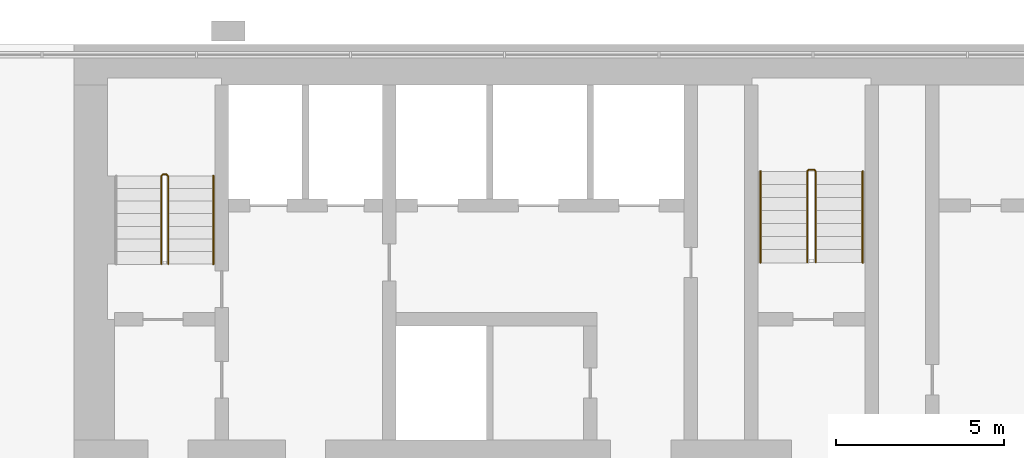
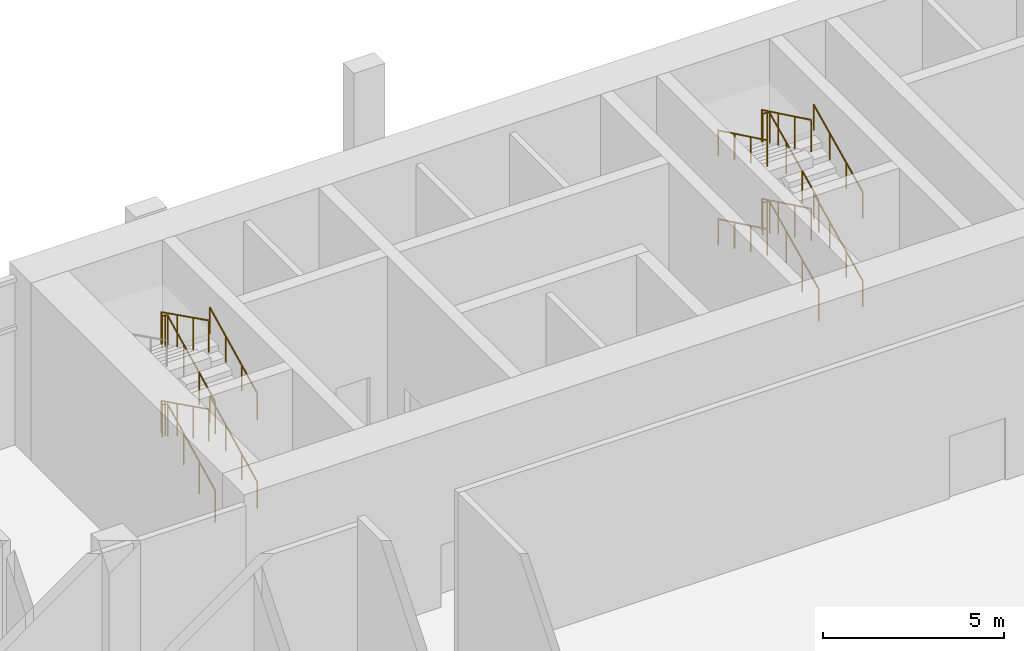
# One storey, part 19 of 21: 10 railings.
"""IFC4 building model written with IfcOpenShell, lengths in metres."""

from ifc_helpers import new_model, si_unit, direction, frame, origin, origin_2d, place, context, subcontext, project, spatial, circle, extrude, material, type_object, element, save


model = new_model("IFC4")

# Units and contexts
model_context = context("Model", 3, precision=1e-05, world=origin(), true_north=direction((0.0, 1.0)))
body_context = subcontext(model_context, "Body", "Model", "MODEL_VIEW")
ifc_project = project(units=[si_unit("LENGTHUNIT", "METRE"), si_unit("AREAUNIT", "SQUARE_METRE"), si_unit("VOLUMEUNIT", "CUBIC_METRE"), si_unit("PLANEANGLEUNIT", "RADIAN"), si_unit("MASSUNIT", "GRAM", prefix="KILO")], contexts=[model_context])

# Site, building, storey
site_placement = place(None, origin())
site = spatial("IfcSite", under=ifc_project, at=site_placement, CompositionType="ELEMENT")
building_placement = place(site_placement, origin())
building = spatial("IfcBuilding", under=site, at=building_placement, Name="Bicima Exchange Tower", CompositionType="ELEMENT")
storey_placement = place(building_placement, frame((0.0, 0.0, 8.0)))
storey = spatial("IfcBuildingStorey", under=building, at=storey_placement, Name="L01", CompositionType="ELEMENT", Elevation=8.0)

# Railings
ifc_material = material(Name="Stainless steel", Category="steel")
railing_type_1 = type_object("IfcRailingType", Name="Stair guard 1100", PredefinedType="GUARDRAIL", material=ifc_material)
railing_1_placement = place(storey_placement, frame((-19.199951171875, -6.550048828125, 0.1875)))
element("IfcRailing", 1, at=railing_1_placement, inside=storey, type_object=railing_type_1, Name="L01 ST-W stair guard 1", PredefinedType="GUARDRAIL", context=body_context, shape_type="SweptSolid", body=[
    extrude(circle(Radius=0.02392578125, at=origin_2d()), frame((0.0, 0.0, 1.076171875), z_axis=(0.0, 0.894775759346, 0.446515778543), x_axis=(-1.0, 0.0, 0.0)), (0.0, 0.0, 1.0), 2.939453125),
    extrude(circle(Radius=0.02392578125, at=origin_2d()), frame((0.0, 2.630126953125, 2.388671875), z_axis=(-0.708833529934, 0.705375805398, 0.0), x_axis=(-0.705375805398, -0.708833529934, 0.0)), (0.0, 0.0, 1.0), 0.070556640625),
    extrude(circle(Radius=0.02392578125, at=origin_2d()), frame((-0.050048828125, 2.679931640625, 2.388671875), z_axis=(-1.0, 0.0, 0.0), x_axis=(0.0, -1.0, 0.0)), (0.0, 0.0, 1.0), 0.10009765625),
    extrude(circle(Radius=0.02392578125, at=origin_2d()), frame((-0.150146484375, 2.679931640625, 2.388671875), z_axis=(-0.248659220195, -0.248659220195, 0.936128828968), x_axis=(0.707106781187, -0.707106781187, 0.0)), (0.0, 0.0, 1.0), 0.2001953125),
    extrude(circle(Radius=0.02392578125, at=origin_2d()), frame((-0.199951171875, 2.630126953125, 2.576171875), z_axis=(0.0, -0.894775759346, 0.446515778543), x_axis=(1.0, 0.0, 0.0)), (0.0, 0.0, 1.0), 2.939453125),
    extrude(circle(Radius=0.02099609375, at=origin_2d()), origin(), (0.0, 0.0, 1.0), 1.052001953125),
    extrude(circle(Radius=0.02099609375, at=origin_2d()), frame((0.0, 0.876708984375, 0.4375)), (0.0, 0.0, 1.0), 1.052001953125),
    extrude(circle(Radius=0.02099609375, at=origin_2d()), frame((0.0, 1.75341796875, 0.875)), (0.0, 0.0, 1.0), 1.052001953125),
    extrude(circle(Radius=0.02099609375, at=origin_2d()), frame((0.0, 2.630126953125, 1.3125)), (0.0, 0.0, 1.0), 1.052001953125),
    extrude(circle(Radius=0.02099609375, at=origin_2d()), frame((-0.050048828125, 2.679931640625, 1.3125)), (0.0, 0.0, 1.0), 1.052001953125),
    extrude(circle(Radius=0.02099609375, at=origin_2d()), frame((-0.150146484375, 2.679931640625, 1.3125)), (0.0, 0.0, 1.0), 1.052001953125),
    extrude(circle(Radius=0.02099609375, at=origin_2d()), frame((-0.199951171875, 2.630126953125, 1.5)), (0.0, 0.0, 1.0), 1.052001953125),
    extrude(circle(Radius=0.02099609375, at=origin_2d()), frame((-0.199951171875, 1.75341796875, 1.9375)), (0.0, 0.0, 1.0), 1.052001953125),
    extrude(circle(Radius=0.02099609375, at=origin_2d()), frame((-0.199951171875, 0.876708984375, 2.375)), (0.0, 0.0, 1.0), 1.052001953125),
    extrude(circle(Radius=0.02099609375, at=origin_2d()), frame((-0.199951171875, 0.0, 2.8125)), (0.0, 0.0, 1.0), 1.052001953125),
])
railing_2_placement = place(storey_placement, frame((-19.199951171875, -6.550048828125, 3.1875)))
element("IfcRailing", 2, at=railing_2_placement, inside=storey, type_object=railing_type_1, Name="L01 ST-W stair guard 2", PredefinedType="GUARDRAIL", context=body_context, shape_type="SweptSolid", body=[
    extrude(circle(Radius=0.02392578125, at=origin_2d()), frame((0.0, 0.0, 1.076171875), z_axis=(0.0, 0.894775759346, 0.446515778543), x_axis=(-1.0, 0.0, 0.0)), (0.0, 0.0, 1.0), 2.939453125),
    extrude(circle(Radius=0.02392578125, at=origin_2d()), frame((0.0, 2.630126953125, 2.388671875), z_axis=(-0.708833529934, 0.705375805398, 0.0), x_axis=(-0.705375805398, -0.708833529934, 0.0)), (0.0, 0.0, 1.0), 0.070556640625),
    extrude(circle(Radius=0.02392578125, at=origin_2d()), frame((-0.050048828125, 2.679931640625, 2.388671875), z_axis=(-1.0, 0.0, 0.0), x_axis=(0.0, -1.0, 0.0)), (0.0, 0.0, 1.0), 0.10009765625),
    extrude(circle(Radius=0.02392578125, at=origin_2d()), frame((-0.150146484375, 2.679931640625, 2.388671875), z_axis=(-0.248659220195, -0.248659220195, 0.936128828968), x_axis=(0.707106781187, -0.707106781187, 0.0)), (0.0, 0.0, 1.0), 0.2001953125),
    extrude(circle(Radius=0.02392578125, at=origin_2d()), frame((-0.199951171875, 2.630126953125, 2.576171875), z_axis=(0.0, -0.894775759346, 0.446515778543), x_axis=(1.0, 0.0, 0.0)), (0.0, 0.0, 1.0), 2.939453125),
    extrude(circle(Radius=0.02099609375, at=origin_2d()), origin(), (0.0, 0.0, 1.0), 1.052001953125),
    extrude(circle(Radius=0.02099609375, at=origin_2d()), frame((0.0, 0.876708984375, 0.4375)), (0.0, 0.0, 1.0), 1.052001953125),
    extrude(circle(Radius=0.02099609375, at=origin_2d()), frame((0.0, 1.75341796875, 0.875)), (0.0, 0.0, 1.0), 1.052001953125),
    extrude(circle(Radius=0.02099609375, at=origin_2d()), frame((0.0, 2.630126953125, 1.3125)), (0.0, 0.0, 1.0), 1.052001953125),
    extrude(circle(Radius=0.02099609375, at=origin_2d()), frame((-0.050048828125, 2.679931640625, 1.3125)), (0.0, 0.0, 1.0), 1.052001953125),
    extrude(circle(Radius=0.02099609375, at=origin_2d()), frame((-0.150146484375, 2.679931640625, 1.3125)), (0.0, 0.0, 1.0), 1.052001953125),
    extrude(circle(Radius=0.02099609375, at=origin_2d()), frame((-0.199951171875, 2.630126953125, 1.5)), (0.0, 0.0, 1.0), 1.052001953125),
    extrude(circle(Radius=0.02099609375, at=origin_2d()), frame((-0.199951171875, 1.75341796875, 1.9375)), (0.0, 0.0, 1.0), 1.052001953125),
    extrude(circle(Radius=0.02099609375, at=origin_2d()), frame((-0.199951171875, 0.876708984375, 2.375)), (0.0, 0.0, 1.0), 1.052001953125),
    extrude(circle(Radius=0.02099609375, at=origin_2d()), frame((-0.199951171875, 0.0, 2.8125)), (0.0, 0.0, 1.0), 1.052001953125),
])
railing_3_placement = place(storey_placement, frame((0.125, -6.5, 0.1875)))
element("IfcRailing", 3, at=railing_3_placement, inside=storey, type_object=railing_type_1, Name="L01 ST-C stair guard 1", PredefinedType="GUARDRAIL", context=body_context, shape_type="SweptSolid", body=[
    extrude(circle(Radius=0.02392578125, at=origin_2d()), frame((0.0, 0.0, 1.076171875), z_axis=(0.0, 0.900628018105, 0.434590810998), x_axis=(-1.0, 0.0, 0.0)), (0.0, 0.0, 1.0), 3.02001953125),
    extrude(circle(Radius=0.02392578125, at=origin_2d()), frame((0.0, 2.719970703125, 2.388671875), z_axis=(-0.707106781187, 0.707106781187, 0.0), x_axis=(-0.707106781187, -0.707106781187, 0.0)), (0.0, 0.0, 1.0), 0.07080078125),
    extrude(circle(Radius=0.02392578125, at=origin_2d()), frame((-0.050048828125, 2.77001953125, 2.388671875), z_axis=(-1.0, 0.0, 0.0), x_axis=(0.0, -1.0, 0.0)), (0.0, 0.0, 1.0), 0.14990234375),
    extrude(circle(Radius=0.02392578125, at=origin_2d()), frame((-0.199951171875, 2.77001953125, 2.388671875), z_axis=(-0.249726431254, -0.249726431254, 0.935560483917), x_axis=(0.707106781187, -0.707106781187, 0.0)), (0.0, 0.0, 1.0), 0.200439453125),
    extrude(circle(Radius=0.02392578125, at=origin_2d()), frame((-0.25, 2.719970703125, 2.576171875), z_axis=(0.0, -0.900628018105, 0.434590810998), x_axis=(1.0, 0.0, 0.0)), (0.0, 0.0, 1.0), 3.02001953125),
    extrude(circle(Radius=0.02099609375, at=origin_2d()), origin(), (0.0, 0.0, 1.0), 1.052001953125),
    extrude(circle(Radius=0.02099609375, at=origin_2d()), frame((0.0, 0.90673828125, 0.4375)), (0.0, 0.0, 1.0), 1.052001953125),
    extrude(circle(Radius=0.02099609375, at=origin_2d()), frame((0.0, 1.813232421875, 0.875)), (0.0, 0.0, 1.0), 1.052001953125),
    extrude(circle(Radius=0.02099609375, at=origin_2d()), frame((0.0, 2.719970703125, 1.3125)), (0.0, 0.0, 1.0), 1.052001953125),
    extrude(circle(Radius=0.02099609375, at=origin_2d()), frame((-0.050048828125, 2.77001953125, 1.3125)), (0.0, 0.0, 1.0), 1.052001953125),
    extrude(circle(Radius=0.02099609375, at=origin_2d()), frame((-0.199951171875, 2.77001953125, 1.3125)), (0.0, 0.0, 1.0), 1.052001953125),
    extrude(circle(Radius=0.02099609375, at=origin_2d()), frame((-0.25, 2.719970703125, 1.5)), (0.0, 0.0, 1.0), 1.052001953125),
    extrude(circle(Radius=0.02099609375, at=origin_2d()), frame((-0.25, 1.813232421875, 1.9375)), (0.0, 0.0, 1.0), 1.052001953125),
    extrude(circle(Radius=0.02099609375, at=origin_2d()), frame((-0.25, 0.90673828125, 2.375)), (0.0, 0.0, 1.0), 1.052001953125),
    extrude(circle(Radius=0.02099609375, at=origin_2d()), frame((-0.25, 0.0, 2.8125)), (0.0, 0.0, 1.0), 1.052001953125),
])
railing_4_placement = place(storey_placement, frame((0.125, -6.5, 3.1875)))
element("IfcRailing", 4, at=railing_4_placement, inside=storey, type_object=railing_type_1, Name="L01 ST-C stair guard 2", PredefinedType="GUARDRAIL", context=body_context, shape_type="SweptSolid", body=[
    extrude(circle(Radius=0.02392578125, at=origin_2d()), frame((0.0, 0.0, 1.076171875), z_axis=(0.0, 0.900628018105, 0.434590810998), x_axis=(-1.0, 0.0, 0.0)), (0.0, 0.0, 1.0), 3.02001953125),
    extrude(circle(Radius=0.02392578125, at=origin_2d()), frame((0.0, 2.719970703125, 2.388671875), z_axis=(-0.707106781187, 0.707106781187, 0.0), x_axis=(-0.707106781187, -0.707106781187, 0.0)), (0.0, 0.0, 1.0), 0.07080078125),
    extrude(circle(Radius=0.02392578125, at=origin_2d()), frame((-0.050048828125, 2.77001953125, 2.388671875), z_axis=(-1.0, 0.0, 0.0), x_axis=(0.0, -1.0, 0.0)), (0.0, 0.0, 1.0), 0.14990234375),
    extrude(circle(Radius=0.02392578125, at=origin_2d()), frame((-0.199951171875, 2.77001953125, 2.388671875), z_axis=(-0.249726431254, -0.249726431254, 0.935560483917), x_axis=(0.707106781187, -0.707106781187, 0.0)), (0.0, 0.0, 1.0), 0.200439453125),
    extrude(circle(Radius=0.02392578125, at=origin_2d()), frame((-0.25, 2.719970703125, 2.576171875), z_axis=(0.0, -0.900628018105, 0.434590810998), x_axis=(1.0, 0.0, 0.0)), (0.0, 0.0, 1.0), 3.02001953125),
    extrude(circle(Radius=0.02099609375, at=origin_2d()), origin(), (0.0, 0.0, 1.0), 1.052001953125),
    extrude(circle(Radius=0.02099609375, at=origin_2d()), frame((0.0, 0.90673828125, 0.4375)), (0.0, 0.0, 1.0), 1.052001953125),
    extrude(circle(Radius=0.02099609375, at=origin_2d()), frame((0.0, 1.813232421875, 0.875)), (0.0, 0.0, 1.0), 1.052001953125),
    extrude(circle(Radius=0.02099609375, at=origin_2d()), frame((0.0, 2.719970703125, 1.3125)), (0.0, 0.0, 1.0), 1.052001953125),
    extrude(circle(Radius=0.02099609375, at=origin_2d()), frame((-0.050048828125, 2.77001953125, 1.3125)), (0.0, 0.0, 1.0), 1.052001953125),
    extrude(circle(Radius=0.02099609375, at=origin_2d()), frame((-0.199951171875, 2.77001953125, 1.3125)), (0.0, 0.0, 1.0), 1.052001953125),
    extrude(circle(Radius=0.02099609375, at=origin_2d()), frame((-0.25, 2.719970703125, 1.5)), (0.0, 0.0, 1.0), 1.052001953125),
    extrude(circle(Radius=0.02099609375, at=origin_2d()), frame((-0.25, 1.813232421875, 1.9375)), (0.0, 0.0, 1.0), 1.052001953125),
    extrude(circle(Radius=0.02099609375, at=origin_2d()), frame((-0.25, 0.90673828125, 2.375)), (0.0, 0.0, 1.0), 1.052001953125),
    extrude(circle(Radius=0.02099609375, at=origin_2d()), frame((-0.25, 0.0, 2.8125)), (0.0, 0.0, 1.0), 1.052001953125),
])
railing_type_2 = type_object("IfcRailingType", Name="Stair handrail 900", PredefinedType="HANDRAIL", material=ifc_material)
for number, where, name in (
    (5, (-17.85009765625, -6.550048828125, 0.1875), "L01 ST-W stair handrail 1"),
    (6, (-17.85009765625, -6.550048828125, 3.1875), "L01 ST-W stair handrail 3"),
):
    element("IfcRailing", number, at=place(storey_placement, frame(where)), inside=storey, type_object=railing_type_2, Name=name, PredefinedType="HANDRAIL", context=body_context, shape_type="SweptSolid", body=[
        extrude(circle(Radius=0.02392578125, at=origin_2d()), frame((0.0, 0.0, 0.8759765625), z_axis=(0.0, 0.894775759346, 0.446515778543), x_axis=(-1.0, 0.0, 0.0)), (0.0, 0.0, 1.0), 2.939453125),
        extrude(circle(Radius=0.02099609375, at=origin_2d()), origin(), (0.0, 0.0, 1.0), 0.851806640625),
        extrude(circle(Radius=0.02099609375, at=origin_2d()), frame((0.0, 0.876708984375, 0.4375)), (0.0, 0.0, 1.0), 0.851806640625),
        extrude(circle(Radius=0.02099609375, at=origin_2d()), frame((0.0, 1.75341796875, 0.875)), (0.0, 0.0, 1.0), 0.851806640625),
        extrude(circle(Radius=0.02099609375, at=origin_2d()), frame((0.0, 2.630126953125, 1.3125)), (0.0, 0.0, 1.0), 0.851806640625),
    ])
railing_5_placement = place(storey_placement, frame((1.52490234375, -6.5, 0.1875)))
element("IfcRailing", 7, at=railing_5_placement, inside=storey, type_object=railing_type_2, Name="L01 ST-C stair handrail 1", PredefinedType="HANDRAIL", context=body_context, shape_type="SweptSolid", body=[
    extrude(circle(Radius=0.02392578125, at=origin_2d()), frame((0.0, 0.0, 0.8759765625), z_axis=(0.0, 0.900628018105, 0.434590810998), x_axis=(-1.0, 0.0, 0.0)), (0.0, 0.0, 1.0), 3.02001953125),
    extrude(circle(Radius=0.02099609375, at=origin_2d()), origin(), (0.0, 0.0, 1.0), 0.851806640625),
    extrude(circle(Radius=0.02099609375, at=origin_2d()), frame((0.0, 0.90673828125, 0.4375)), (0.0, 0.0, 1.0), 0.851806640625),
    extrude(circle(Radius=0.02099609375, at=origin_2d()), frame((0.0, 1.813232421875, 0.875)), (0.0, 0.0, 1.0), 0.851806640625),
    extrude(circle(Radius=0.02099609375, at=origin_2d()), frame((0.0, 2.719970703125, 1.3125)), (0.0, 0.0, 1.0), 0.851806640625),
])
railing_6_placement = place(storey_placement, frame((-1.52490234375, -3.780029296875, 1.6875)))
element("IfcRailing", 8, at=railing_6_placement, inside=storey, type_object=railing_type_2, Name="L01 ST-C stair handrail 2", PredefinedType="HANDRAIL", context=body_context, shape_type="SweptSolid", body=[
    extrude(circle(Radius=0.02392578125, at=origin_2d()), frame((0.0, 0.0, 0.8759765625), z_axis=(0.0, -0.900628018105, 0.434590810998), x_axis=(1.0, 0.0, 0.0)), (0.0, 0.0, 1.0), 3.02001953125),
    extrude(circle(Radius=0.02099609375, at=origin_2d()), origin(), (0.0, 0.0, 1.0), 0.851806640625),
    extrude(circle(Radius=0.02099609375, at=origin_2d()), frame((0.0, -0.90673828125, 0.4375)), (0.0, 0.0, 1.0), 0.851806640625),
    extrude(circle(Radius=0.02099609375, at=origin_2d()), frame((0.0, -1.813232421875, 0.875)), (0.0, 0.0, 1.0), 0.851806640625),
    extrude(circle(Radius=0.02099609375, at=origin_2d()), frame((0.0, -2.719970703125, 1.3125)), (0.0, 0.0, 1.0), 0.851806640625),
])
railing_7_placement = place(storey_placement, frame((1.52490234375, -6.5, 3.1875)))
element("IfcRailing", 9, at=railing_7_placement, inside=storey, type_object=railing_type_2, Name="L01 ST-C stair handrail 3", PredefinedType="HANDRAIL", context=body_context, shape_type="SweptSolid", body=[
    extrude(circle(Radius=0.02392578125, at=origin_2d()), frame((0.0, 0.0, 0.8759765625), z_axis=(0.0, 0.900628018105, 0.434590810998), x_axis=(-1.0, 0.0, 0.0)), (0.0, 0.0, 1.0), 3.02001953125),
    extrude(circle(Radius=0.02099609375, at=origin_2d()), origin(), (0.0, 0.0, 1.0), 0.851806640625),
    extrude(circle(Radius=0.02099609375, at=origin_2d()), frame((0.0, 0.90673828125, 0.4375)), (0.0, 0.0, 1.0), 0.851806640625),
    extrude(circle(Radius=0.02099609375, at=origin_2d()), frame((0.0, 1.813232421875, 0.875)), (0.0, 0.0, 1.0), 0.851806640625),
    extrude(circle(Radius=0.02099609375, at=origin_2d()), frame((0.0, 2.719970703125, 1.3125)), (0.0, 0.0, 1.0), 0.851806640625),
])
railing_8_placement = place(storey_placement, frame((-1.52490234375, -3.780029296875, 4.6875)))
element("IfcRailing", 10, at=railing_8_placement, inside=storey, type_object=railing_type_2, Name="L01 ST-C stair handrail 4", PredefinedType="HANDRAIL", context=body_context, shape_type="SweptSolid", body=[
    extrude(circle(Radius=0.02392578125, at=origin_2d()), frame((0.0, 0.0, 0.8759765625), z_axis=(0.0, -0.900628018105, 0.434590810998), x_axis=(1.0, 0.0, 0.0)), (0.0, 0.0, 1.0), 3.02001953125),
    extrude(circle(Radius=0.02099609375, at=origin_2d()), origin(), (0.0, 0.0, 1.0), 0.851806640625),
    extrude(circle(Radius=0.02099609375, at=origin_2d()), frame((0.0, -0.90673828125, 0.4375)), (0.0, 0.0, 1.0), 0.851806640625),
    extrude(circle(Radius=0.02099609375, at=origin_2d()), frame((0.0, -1.813232421875, 0.875)), (0.0, 0.0, 1.0), 0.851806640625),
    extrude(circle(Radius=0.02099609375, at=origin_2d()), frame((0.0, -2.719970703125, 1.3125)), (0.0, 0.0, 1.0), 0.851806640625),
])

save(model, "model.ifc")
